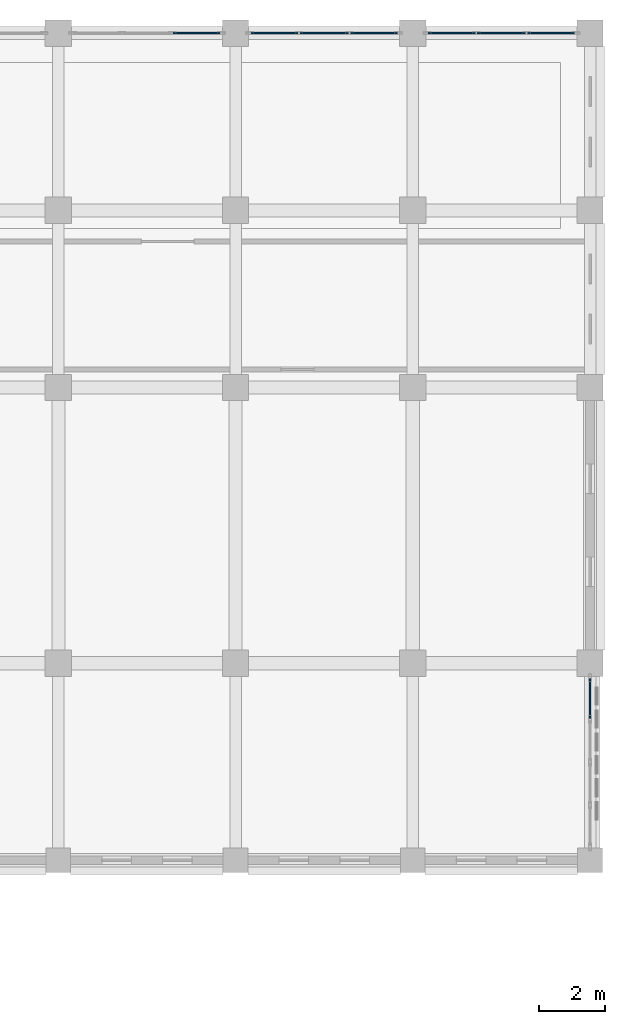
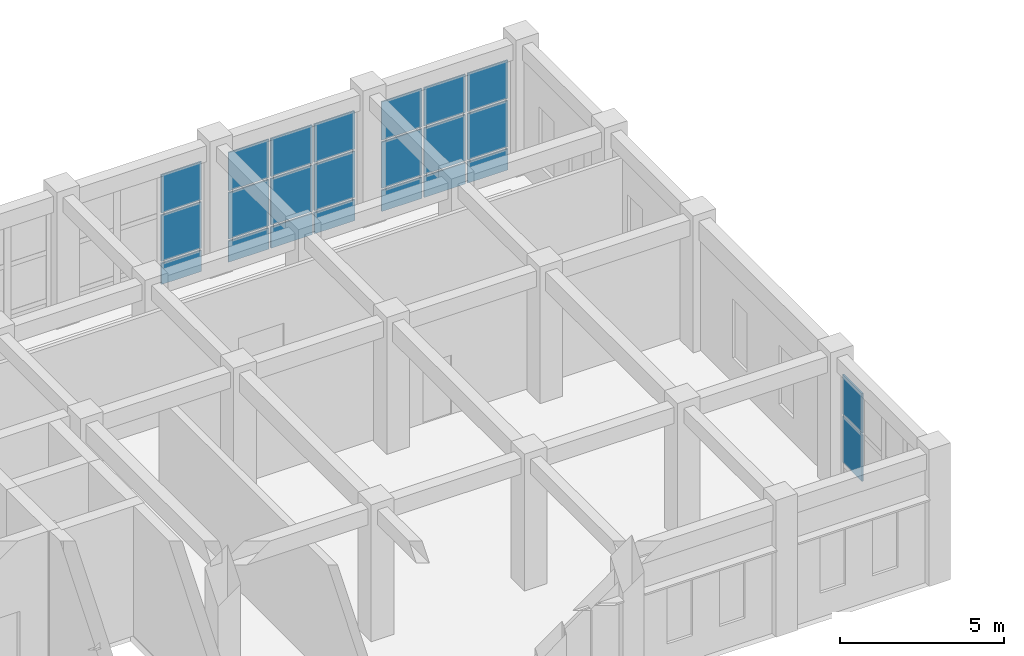
# One storey, part 53 of 77: 23 plates, 4 elements without a shape of their own.
"""IFC4 building model written with IfcOpenShell, lengths in metres."""

from ifc_helpers import new_model, si_unit, direction, frame, origin, origin_2d, place, context, subcontext, project, spatial, rectangle, extrude, material, layer, layer_set, type_object, element, aggregate, save


model = new_model("IFC4")

# Units and contexts
model_context = context("Model", 3, precision=1e-05, world=origin(), true_north=direction((0.0, 1.0)))
body_context = subcontext(model_context, "Body", "Model", "MODEL_VIEW")
ifc_project = project(units=[si_unit("LENGTHUNIT", "METRE"), si_unit("AREAUNIT", "SQUARE_METRE"), si_unit("VOLUMEUNIT", "CUBIC_METRE"), si_unit("PLANEANGLEUNIT", "RADIAN"), si_unit("MASSUNIT", "GRAM", prefix="KILO")], contexts=[model_context])

# Site, building, storey
site_placement = place(None, origin())
site = spatial("IfcSite", under=ifc_project, at=site_placement, CompositionType="ELEMENT")
building_placement = place(site_placement, origin())
building = spatial("IfcBuilding", under=site, at=building_placement, Name="Krzemoval Escarpment Law Courts", CompositionType="ELEMENT")
storey_placement = place(building_placement, frame((0.0, 0.0, 15.300048828125)))
storey = spatial("IfcBuildingStorey", under=building, at=storey_placement, Name="L03", CompositionType="ELEMENT", Elevation=15.300048828125)

# Curtain wall, plates
ifc_material_1 = material(Name="Aluminium 6063-T6", Category="aluminium")
ifc_layer_1 = layer(ifc_material_1, 0.239990234375)
ifc_layer_set_1 = layer_set([ifc_layer_1], Name="Aluminium 6063-T6")
curtain_wall_type = type_object("IfcCurtainWallType", Name="CW-CHMB-4800", PredefinedType="USERDEFINED", material=ifc_layer_set_1)
curtain_wall_1_placement = place(storey_placement, origin())
curtain_wall_1 = element("IfcCurtainWall", 1, at=curtain_wall_1_placement, inside=storey, type_object=curtain_wall_type, Name="Unitised Curtain Wall FCW-L03-117", ObjectType="UNITISED_CURTAIN_WALL", PredefinedType="USERDEFINED")
ifc_material_2 = material(Name="Triple Glazing IGU", Category="glass")
ifc_layer_2 = layer(ifc_material_2, 0.048095703125)
ifc_layer_set_2 = layer_set([ifc_layer_2], Name="Triple Glazing IGU")
plate_type = type_object("IfcPlateType", Name="CWP-GLZ-48", PredefinedType="CURTAIN_PANEL", material=ifc_layer_set_2)
plate_1_placement = place(storey_placement, frame((160.814697265625, 118.800048828125, 0.074951171875), z_axis=(0.0, 0.0, 1.0), x_axis=(1.0, 0.0, 0.0)))
plate_1 = element("IfcPlate", 2, at=plate_1_placement, type_object=plate_type, Name="FCW-L03-117 panel 3.1", PredefinedType="CURTAIN_PANEL", context=body_context, shape_type="SweptSolid", body=[
    extrude(rectangle(XDim=1.4208984375, YDim=0.048095703125, at=origin_2d()), origin(), (0.0, 0.0, 1.0), 0.78759765625),
])
plate_2_placement = place(storey_placement, frame((160.814697265625, 118.800048828125, 0.9375), z_axis=(0.0, 0.0, 1.0), x_axis=(1.0, 0.0, 0.0)))
plate_2 = element("IfcPlate", 3, at=plate_2_placement, type_object=plate_type, Name="FCW-L03-117 panel 3.2", PredefinedType="CURTAIN_PANEL", context=body_context, shape_type="SweptSolid", body=[
    extrude(rectangle(XDim=1.4208984375, YDim=0.048095703125, at=origin_2d()), origin(), (0.0, 0.0, 1.0), 1.72509765625),
])
plate_3_placement = place(storey_placement, frame((160.814697265625, 118.800048828125, 2.7373046875), z_axis=(0.0, 0.0, 1.0), x_axis=(1.0, 0.0, 0.0)))
plate_3 = element("IfcPlate", 4, at=plate_3_placement, type_object=plate_type, Name="FCW-L03-117 panel 3.3", PredefinedType="CURTAIN_PANEL", context=body_context, shape_type="SweptSolid", body=[
    extrude(rectangle(XDim=1.4208984375, YDim=0.048095703125, at=origin_2d()), origin(), (0.0, 0.0, 1.0), 1.427490234375),
])
aggregate(curtain_wall_1, [plate_1, plate_2, plate_3])

curtain_wall_2_placement = place(storey_placement, origin())
curtain_wall_2 = element("IfcCurtainWall", 5, at=curtain_wall_2_placement, inside=storey, type_object=curtain_wall_type, Name="Unitised Curtain Wall FCW-L03-118", ObjectType="UNITISED_CURTAIN_WALL", PredefinedType="USERDEFINED")
plate_4_placement = place(storey_placement, frame((163.185302734375, 118.800048828125, 0.074951171875), z_axis=(0.0, 0.0, 1.0), x_axis=(1.0, 0.0, 0.0)))
plate_4 = element("IfcPlate", 6, at=plate_4_placement, type_object=plate_type, Name="FCW-L03-118 panel 1.1", PredefinedType="CURTAIN_PANEL", context=body_context, shape_type="SweptSolid", body=[
    extrude(rectangle(XDim=1.4208984375, YDim=0.048095703125, at=origin_2d()), origin(), (0.0, 0.0, 1.0), 0.78759765625),
])
plate_5_placement = place(storey_placement, frame((163.185302734375, 118.800048828125, 0.9375), z_axis=(0.0, 0.0, 1.0), x_axis=(1.0, 0.0, 0.0)))
plate_5 = element("IfcPlate", 7, at=plate_5_placement, type_object=plate_type, Name="FCW-L03-118 panel 1.2", PredefinedType="CURTAIN_PANEL", context=body_context, shape_type="SweptSolid", body=[
    extrude(rectangle(XDim=1.4208984375, YDim=0.048095703125, at=origin_2d()), origin(), (0.0, 0.0, 1.0), 1.72509765625),
])
plate_6_placement = place(storey_placement, frame((163.185302734375, 118.800048828125, 2.7373046875), z_axis=(0.0, 0.0, 1.0), x_axis=(1.0, 0.0, 0.0)))
plate_6 = element("IfcPlate", 8, at=plate_6_placement, type_object=plate_type, Name="FCW-L03-118 panel 1.3", PredefinedType="CURTAIN_PANEL", context=body_context, shape_type="SweptSolid", body=[
    extrude(rectangle(XDim=1.4208984375, YDim=0.048095703125, at=origin_2d()), origin(), (0.0, 0.0, 1.0), 1.427490234375),
])
plate_7_placement = place(storey_placement, frame((164.699951171875, 118.800048828125, 0.074951171875), z_axis=(0.0, 0.0, 1.0), x_axis=(1.0, 0.0, 0.0)))
plate_7 = element("IfcPlate", 9, at=plate_7_placement, type_object=plate_type, Name="FCW-L03-118 panel 2.1", PredefinedType="CURTAIN_PANEL", context=body_context, shape_type="SweptSolid", body=[
    extrude(rectangle(XDim=1.458251953125, YDim=0.048095703125, at=origin_2d()), origin(), (0.0, 0.0, 1.0), 0.78759765625),
])
plate_8_placement = place(storey_placement, frame((164.699951171875, 118.800048828125, 0.9375), z_axis=(0.0, 0.0, 1.0), x_axis=(1.0, 0.0, 0.0)))
plate_8 = element("IfcPlate", 10, at=plate_8_placement, type_object=plate_type, Name="FCW-L03-118 panel 2.2", PredefinedType="CURTAIN_PANEL", context=body_context, shape_type="SweptSolid", body=[
    extrude(rectangle(XDim=1.458251953125, YDim=0.048095703125, at=origin_2d()), origin(), (0.0, 0.0, 1.0), 1.72509765625),
])
plate_9_placement = place(storey_placement, frame((164.699951171875, 118.800048828125, 2.7373046875), z_axis=(0.0, 0.0, 1.0), x_axis=(1.0, 0.0, 0.0)))
plate_9 = element("IfcPlate", 11, at=plate_9_placement, type_object=plate_type, Name="FCW-L03-118 panel 2.3", PredefinedType="CURTAIN_PANEL", context=body_context, shape_type="SweptSolid", body=[
    extrude(rectangle(XDim=1.458251953125, YDim=0.048095703125, at=origin_2d()), origin(), (0.0, 0.0, 1.0), 1.427490234375),
])
plate_10_placement = place(storey_placement, frame((166.214599609375, 118.800048828125, 0.074951171875), z_axis=(0.0, 0.0, 1.0), x_axis=(1.0, 0.0, 0.0)))
plate_10 = element("IfcPlate", 12, at=plate_10_placement, type_object=plate_type, Name="FCW-L03-118 panel 3.1", PredefinedType="CURTAIN_PANEL", context=body_context, shape_type="SweptSolid", body=[
    extrude(rectangle(XDim=1.4208984375, YDim=0.048095703125, at=origin_2d()), origin(), (0.0, 0.0, 1.0), 0.78759765625),
])
plate_11_placement = place(storey_placement, frame((166.214599609375, 118.800048828125, 0.9375), z_axis=(0.0, 0.0, 1.0), x_axis=(1.0, 0.0, 0.0)))
plate_11 = element("IfcPlate", 13, at=plate_11_placement, type_object=plate_type, Name="FCW-L03-118 panel 3.2", PredefinedType="CURTAIN_PANEL", context=body_context, shape_type="SweptSolid", body=[
    extrude(rectangle(XDim=1.4208984375, YDim=0.048095703125, at=origin_2d()), origin(), (0.0, 0.0, 1.0), 1.72509765625),
])
plate_12_placement = place(storey_placement, frame((166.214599609375, 118.800048828125, 2.7373046875), z_axis=(0.0, 0.0, 1.0), x_axis=(1.0, 0.0, 0.0)))
plate_12 = element("IfcPlate", 14, at=plate_12_placement, type_object=plate_type, Name="FCW-L03-118 panel 3.3", PredefinedType="CURTAIN_PANEL", context=body_context, shape_type="SweptSolid", body=[
    extrude(rectangle(XDim=1.4208984375, YDim=0.048095703125, at=origin_2d()), origin(), (0.0, 0.0, 1.0), 1.427490234375),
])
aggregate(curtain_wall_2, [plate_4, plate_5, plate_6, plate_7, plate_8, plate_9, plate_10, plate_11, plate_12])

curtain_wall_3_placement = place(storey_placement, origin())
curtain_wall_3 = element("IfcCurtainWall", 15, at=curtain_wall_3_placement, inside=storey, type_object=curtain_wall_type, Name="Unitised Curtain Wall FCW-L03-119", ObjectType="UNITISED_CURTAIN_WALL", PredefinedType="USERDEFINED")
plate_13_placement = place(storey_placement, frame((168.58544921875, 118.800048828125, 0.074951171875), z_axis=(0.0, 0.0, 1.0), x_axis=(1.0, 0.0, 0.0)))
plate_13 = element("IfcPlate", 16, at=plate_13_placement, type_object=plate_type, Name="FCW-L03-119 panel 1.1", PredefinedType="CURTAIN_PANEL", context=body_context, shape_type="SweptSolid", body=[
    extrude(rectangle(XDim=1.4208984375, YDim=0.048095703125, at=origin_2d()), origin(), (0.0, 0.0, 1.0), 0.78759765625),
])
plate_14_placement = place(storey_placement, frame((168.58544921875, 118.800048828125, 0.9375), z_axis=(0.0, 0.0, 1.0), x_axis=(1.0, 0.0, 0.0)))
plate_14 = element("IfcPlate", 17, at=plate_14_placement, type_object=plate_type, Name="FCW-L03-119 panel 1.2", PredefinedType="CURTAIN_PANEL", context=body_context, shape_type="SweptSolid", body=[
    extrude(rectangle(XDim=1.4208984375, YDim=0.048095703125, at=origin_2d()), origin(), (0.0, 0.0, 1.0), 1.72509765625),
])
plate_15_placement = place(storey_placement, frame((168.58544921875, 118.800048828125, 2.7373046875), z_axis=(0.0, 0.0, 1.0), x_axis=(1.0, 0.0, 0.0)))
plate_15 = element("IfcPlate", 18, at=plate_15_placement, type_object=plate_type, Name="FCW-L03-119 panel 1.3", PredefinedType="CURTAIN_PANEL", context=body_context, shape_type="SweptSolid", body=[
    extrude(rectangle(XDim=1.4208984375, YDim=0.048095703125, at=origin_2d()), origin(), (0.0, 0.0, 1.0), 1.427490234375),
])
plate_16_placement = place(storey_placement, frame((170.10009765625, 118.800048828125, 0.074951171875), z_axis=(0.0, 0.0, 1.0), x_axis=(1.0, 0.0, 0.0)))
plate_16 = element("IfcPlate", 19, at=plate_16_placement, type_object=plate_type, Name="FCW-L03-119 panel 2.1", PredefinedType="CURTAIN_PANEL", context=body_context, shape_type="SweptSolid", body=[
    extrude(rectangle(XDim=1.458251953125, YDim=0.048095703125, at=origin_2d()), origin(), (0.0, 0.0, 1.0), 0.78759765625),
])
plate_17_placement = place(storey_placement, frame((170.10009765625, 118.800048828125, 0.9375), z_axis=(0.0, 0.0, 1.0), x_axis=(1.0, 0.0, 0.0)))
plate_17 = element("IfcPlate", 20, at=plate_17_placement, type_object=plate_type, Name="FCW-L03-119 panel 2.2", PredefinedType="CURTAIN_PANEL", context=body_context, shape_type="SweptSolid", body=[
    extrude(rectangle(XDim=1.458251953125, YDim=0.048095703125, at=origin_2d()), origin(), (0.0, 0.0, 1.0), 1.72509765625),
])
plate_18_placement = place(storey_placement, frame((170.10009765625, 118.800048828125, 2.7373046875), z_axis=(0.0, 0.0, 1.0), x_axis=(1.0, 0.0, 0.0)))
plate_18 = element("IfcPlate", 21, at=plate_18_placement, type_object=plate_type, Name="FCW-L03-119 panel 2.3", PredefinedType="CURTAIN_PANEL", context=body_context, shape_type="SweptSolid", body=[
    extrude(rectangle(XDim=1.458251953125, YDim=0.048095703125, at=origin_2d()), origin(), (0.0, 0.0, 1.0), 1.427490234375),
])
plate_19_placement = place(storey_placement, frame((171.614501953125, 118.800048828125, 0.074951171875), z_axis=(0.0, 0.0, 1.0), x_axis=(1.0, 0.0, 0.0)))
plate_19 = element("IfcPlate", 22, at=plate_19_placement, type_object=plate_type, Name="FCW-L03-119 panel 3.1", PredefinedType="CURTAIN_PANEL", context=body_context, shape_type="SweptSolid", body=[
    extrude(rectangle(XDim=1.4208984375, YDim=0.048095703125, at=origin_2d()), origin(), (0.0, 0.0, 1.0), 0.78759765625),
])
plate_20_placement = place(storey_placement, frame((171.614501953125, 118.800048828125, 0.9375), z_axis=(0.0, 0.0, 1.0), x_axis=(1.0, 0.0, 0.0)))
plate_20 = element("IfcPlate", 23, at=plate_20_placement, type_object=plate_type, Name="FCW-L03-119 panel 3.2", PredefinedType="CURTAIN_PANEL", context=body_context, shape_type="SweptSolid", body=[
    extrude(rectangle(XDim=1.4208984375, YDim=0.048095703125, at=origin_2d()), origin(), (0.0, 0.0, 1.0), 1.72509765625),
])
plate_21_placement = place(storey_placement, frame((171.614501953125, 118.800048828125, 2.7373046875), z_axis=(0.0, 0.0, 1.0), x_axis=(1.0, 0.0, 0.0)))
plate_21 = element("IfcPlate", 24, at=plate_21_placement, type_object=plate_type, Name="FCW-L03-119 panel 3.3", PredefinedType="CURTAIN_PANEL", context=body_context, shape_type="SweptSolid", body=[
    extrude(rectangle(XDim=1.4208984375, YDim=0.048095703125, at=origin_2d()), origin(), (0.0, 0.0, 1.0), 1.427490234375),
])
aggregate(curtain_wall_3, [plate_13, plate_14, plate_15, plate_16, plate_17, plate_18, plate_19, plate_20, plate_21])

curtain_wall_4_placement = place(storey_placement, origin())
curtain_wall_4 = element("IfcCurtainWall", 25, at=curtain_wall_4_placement, inside=storey, type_object=curtain_wall_type, Name="Unitised Curtain Wall FCW-L03-120", ObjectType="UNITISED_CURTAIN_WALL", PredefinedType="USERDEFINED")
plate_22_placement = place(storey_placement, frame((172.800048828125, 98.528076171875, 0.9375), z_axis=(0.0, 0.0, 1.0), x_axis=(0.0, -1.0, 0.0)))
plate_22 = element("IfcPlate", 26, at=plate_22_placement, type_object=plate_type, Name="FCW-L03-120 panel 1.2", PredefinedType="CURTAIN_PANEL", context=body_context, shape_type="SweptSolid", body=[
    extrude(rectangle(XDim=1.19384765625, YDim=0.048095703125, at=origin_2d()), origin(), (0.0, 0.0, 1.0), 1.72509765625),
])
plate_23_placement = place(storey_placement, frame((172.800048828125, 98.528076171875, 2.737548828125), z_axis=(0.0, 0.0, 1.0), x_axis=(0.0, -1.0, 0.0)))
plate_23 = element("IfcPlate", 27, at=plate_23_placement, type_object=plate_type, Name="FCW-L03-120 panel 1.3", PredefinedType="CURTAIN_PANEL", context=body_context, shape_type="SweptSolid", body=[
    extrude(rectangle(XDim=1.19384765625, YDim=0.048095703125, at=origin_2d()), origin(), (0.0, 0.0, 1.0), 1.4775390625),
])
aggregate(curtain_wall_4, [plate_22, plate_23])

save(model, "model.ifc")
